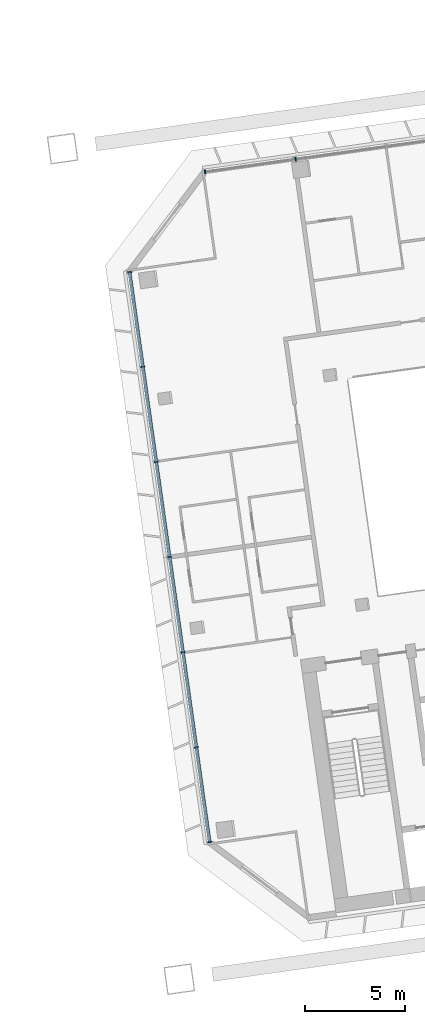
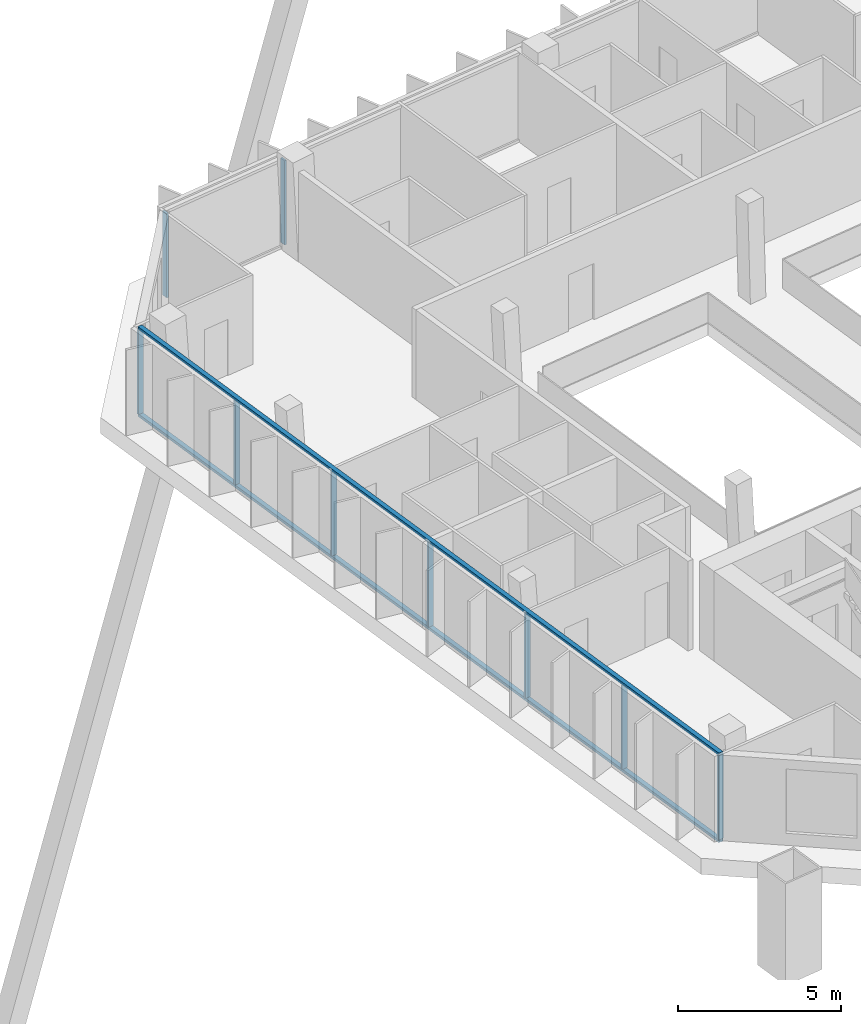
# One storey, part 14 of 38: 11 members, 2 elements without a shape of their own.
"""IFC4 building model written with IfcOpenShell, lengths in metres."""

from ifc_helpers import new_model, si_unit, direction, frame, origin, origin_2d, place, context, subcontext, project, spatial, rectangle, extrude, material, material_profile, profile_set, type_object, element, aggregate, save


model = new_model("IFC4")

# Units and contexts
model_context = context("Model", 3, precision=1e-05, world=origin(), true_north=direction((0.0, 1.0)))
body_context = subcontext(model_context, "Body", "Model", "MODEL_VIEW")
ifc_project = project(units=[si_unit("LENGTHUNIT", "METRE"), si_unit("AREAUNIT", "SQUARE_METRE"), si_unit("VOLUMEUNIT", "CUBIC_METRE"), si_unit("PLANEANGLEUNIT", "RADIAN"), si_unit("MASSUNIT", "GRAM", prefix="KILO")], contexts=[model_context])

# Site, building, storey
site_placement = place(None, origin())
site = spatial("IfcSite", under=ifc_project, at=site_placement, CompositionType="ELEMENT")
building_placement = place(site_placement, origin())
building = spatial("IfcBuilding", under=site, at=building_placement, Name="Mirante Cascada Hotel Towers", CompositionType="ELEMENT")
storey_placement = place(building_placement, frame((0.0, 0.0, 184.0)))
storey = spatial("IfcBuildingStorey", under=building, at=storey_placement, Name="L43", CompositionType="ELEMENT", Elevation=184.0)

# Curtain wall, members
ifc_material_1 = material(Name="Aluminium mullion and transom frame with clear laminated glass", Category="aluminium")
curtain_wall_type_1 = type_object("IfcCurtainWallType", Name="Ribbon curtain wall ECW1", PredefinedType="NOTDEFINED", material=ifc_material_1)
curtain_wall_1_placement = place(storey_placement, origin())
curtain_wall_1 = element("IfcCurtainWall", 1, at=curtain_wall_1_placement, inside=storey, type_object=curtain_wall_type_1, Name="Front ribbon wall T2 L43", PredefinedType="NOTDEFINED")
ifc_material_2 = material(Name="Anodised aluminium extrusion", Category="aluminium")
ifc_material_profile_1 = material_profile(ifc_material_2, rectangle(XDim=0.2, YDim=0.065, at=origin_2d()), Name="ECW1 MULLION 65x200")
ifc_profile_set_1 = profile_set([ifc_material_profile_1], Name="Anodised aluminium extrusion")
member_type_1 = type_object("IfcMemberType", Name="ECW1 mullion 65x200", PredefinedType="MULLION", material=ifc_profile_set_1)
member_1_placement = place(storey_placement, frame((35.2506, 17.7732, 0.1), z_axis=(0.0, 0.0, 1.0), x_axis=(0.1391731, -0.9902681, 0.0)))
member_1 = element("IfcMember", 2, at=member_1_placement, type_object=member_type_1, Name="ECW1 mullion 10", PredefinedType="MULLION", context=body_context, shape_type="SweptSolid", body=[
    extrude(rectangle(XDim=0.2, YDim=0.065, at=origin_2d()), origin(), (0.0, 0.0, 1.0), 3.15),
])
member_2_placement = place(storey_placement, frame((30.718, 17.1362, 0.1), z_axis=(0.0, 0.0, 1.0), x_axis=(0.1391731, -0.9902681, 0.0)))
member_2 = element("IfcMember", 3, at=member_2_placement, type_object=member_type_1, Name="ECW1 mullion 11", PredefinedType="MULLION", context=body_context, shape_type="SweptSolid", body=[
    extrude(rectangle(XDim=0.2, YDim=0.065, at=origin_2d()), origin(), (0.0, 0.0, 1.0), 3.15),
])
aggregate(curtain_wall_1, [member_1, member_2])

ifc_material_3 = material(Name="Aluminium mullion and transom frame with clear laminated glass", Category="aluminium")
curtain_wall_type_2 = type_object("IfcCurtainWallType", Name="End ribbon curtain wall ECW2", PredefinedType="NOTDEFINED", material=ifc_material_3)
curtain_wall_2_placement = place(storey_placement, origin())
curtain_wall_2 = element("IfcCurtainWall", 4, at=curtain_wall_2_placement, inside=storey, type_object=curtain_wall_type_2, Name="Inner end wall T2 L43", PredefinedType="NOTDEFINED")
ifc_material_4 = material(Name="Anodised aluminium extrusion", Category="aluminium")
ifc_material_profile_2 = material_profile(ifc_material_4, rectangle(XDim=0.2, YDim=0.065, at=origin_2d()), Name="ECW2 MULLION 65x200")
ifc_profile_set_2 = profile_set([ifc_material_profile_2], Name="Anodised aluminium extrusion")
member_type_2 = type_object("IfcMemberType", Name="ECW2 mullion 65x200", PredefinedType="MULLION", material=ifc_profile_set_2)
member_3_placement = place(storey_placement, frame((26.9352, 12.1162, 0.1), z_axis=(0.0, 0.0, 1.0), x_axis=(0.9902681, 0.1391731, 0.0)))
member_3 = element("IfcMember", 5, at=member_3_placement, type_object=member_type_2, Name="ECW2 mullion 1", PredefinedType="MULLION", context=body_context, shape_type="SweptSolid", body=[
    extrude(rectangle(XDim=0.2, YDim=0.065, at=origin_2d()), origin(), (0.0, 0.0, 1.0), 3.15),
])
member_4_placement = place(storey_placement, frame((27.6005, 7.3826, 0.1), z_axis=(0.0, 0.0, 1.0), x_axis=(0.9902681, 0.1391731, 0.0)))
member_4 = element("IfcMember", 6, at=member_4_placement, type_object=member_type_2, Name="ECW2 mullion 2", PredefinedType="MULLION", context=body_context, shape_type="SweptSolid", body=[
    extrude(rectangle(XDim=0.2, YDim=0.065, at=origin_2d()), origin(), (0.0, 0.0, 1.0), 3.15),
])
member_5_placement = place(storey_placement, frame((28.2703, 2.6168, 0.1), z_axis=(0.0, 0.0, 1.0), x_axis=(0.9902681, 0.1391731, 0.0)))
member_5 = element("IfcMember", 7, at=member_5_placement, type_object=member_type_2, Name="ECW2 mullion 3", PredefinedType="MULLION", context=body_context, shape_type="SweptSolid", body=[
    extrude(rectangle(XDim=0.2, YDim=0.065, at=origin_2d()), origin(), (0.0, 0.0, 1.0), 3.15),
])
member_6_placement = place(storey_placement, frame((28.94, -2.149, 0.1), z_axis=(0.0, 0.0, 1.0), x_axis=(0.9902681, 0.1391731, 0.0)))
member_6 = element("IfcMember", 8, at=member_6_placement, type_object=member_type_2, Name="ECW2 mullion 4", PredefinedType="MULLION", context=body_context, shape_type="SweptSolid", body=[
    extrude(rectangle(XDim=0.2, YDim=0.065, at=origin_2d()), origin(), (0.0, 0.0, 1.0), 3.15),
])
member_7_placement = place(storey_placement, frame((29.6098, -6.9148, 0.1), z_axis=(0.0, 0.0, 1.0), x_axis=(0.9902681, 0.1391731, 0.0)))
member_7 = element("IfcMember", 9, at=member_7_placement, type_object=member_type_2, Name="ECW2 mullion 5", PredefinedType="MULLION", context=body_context, shape_type="SweptSolid", body=[
    extrude(rectangle(XDim=0.2, YDim=0.065, at=origin_2d()), origin(), (0.0, 0.0, 1.0), 3.15),
])
member_8_placement = place(storey_placement, frame((30.2796, -11.6805, 0.1), z_axis=(0.0, 0.0, 1.0), x_axis=(0.9902681, 0.1391731, 0.0)))
member_8 = element("IfcMember", 10, at=member_8_placement, type_object=member_type_2, Name="ECW2 mullion 6", PredefinedType="MULLION", context=body_context, shape_type="SweptSolid", body=[
    extrude(rectangle(XDim=0.2, YDim=0.065, at=origin_2d()), origin(), (0.0, 0.0, 1.0), 3.15),
])
member_9_placement = place(storey_placement, frame((30.9449, -16.4141, 0.1), z_axis=(0.0, 0.0, 1.0), x_axis=(0.9902681, 0.1391731, 0.0)))
member_9 = element("IfcMember", 11, at=member_9_placement, type_object=member_type_2, Name="ECW2 mullion 7", PredefinedType="MULLION", context=body_context, shape_type="SweptSolid", body=[
    extrude(rectangle(XDim=0.2, YDim=0.065, at=origin_2d()), origin(), (0.0, 0.0, 1.0), 3.15),
])
ifc_material_5 = material(Name="Anodised aluminium extrusion", Category="aluminium")
ifc_material_profile_3 = material_profile(ifc_material_5, rectangle(XDim=0.16, YDim=0.1, at=origin_2d()), Name="ECW2 TRANSOM 100x160")
ifc_profile_set_3 = profile_set([ifc_material_profile_3], Name="Anodised aluminium extrusion")
member_type_3 = type_object("IfcMemberType", Name="ECW2 transom 100x160", PredefinedType="USERDEFINED", material=ifc_profile_set_3)
member_10_placement = place(storey_placement, frame((26.9307, 12.1484, 0.05), z_axis=(0.1391723, -0.9902682, 0.0), x_axis=(0.9902682, 0.1391723, 0.0)))
member_10 = element("IfcMember", 12, at=member_10_placement, type_object=member_type_3, Name="ECW2 sill transom", ObjectType="TRANSOM", PredefinedType="USERDEFINED", context=body_context, shape_type="SweptSolid", body=[
    extrude(rectangle(XDim=0.16, YDim=0.1, at=origin_2d()), origin(), (0.0, 0.0, 1.0), 28.8757),
])
member_11_placement = place(storey_placement, frame((26.9307, 12.1484, 3.3), z_axis=(0.1391723, -0.9902682, 0.0), x_axis=(0.9902682, 0.1391723, 0.0)))
member_11 = element("IfcMember", 13, at=member_11_placement, type_object=member_type_3, Name="ECW2 head transom", ObjectType="TRANSOM", PredefinedType="USERDEFINED", context=body_context, shape_type="SweptSolid", body=[
    extrude(rectangle(XDim=0.16, YDim=0.1, at=origin_2d()), origin(), (0.0, 0.0, 1.0), 28.8757),
])
aggregate(curtain_wall_2, [member_10, member_11, member_3, member_4, member_5, member_6, member_7, member_8, member_9])

save(model, "model.ifc")
